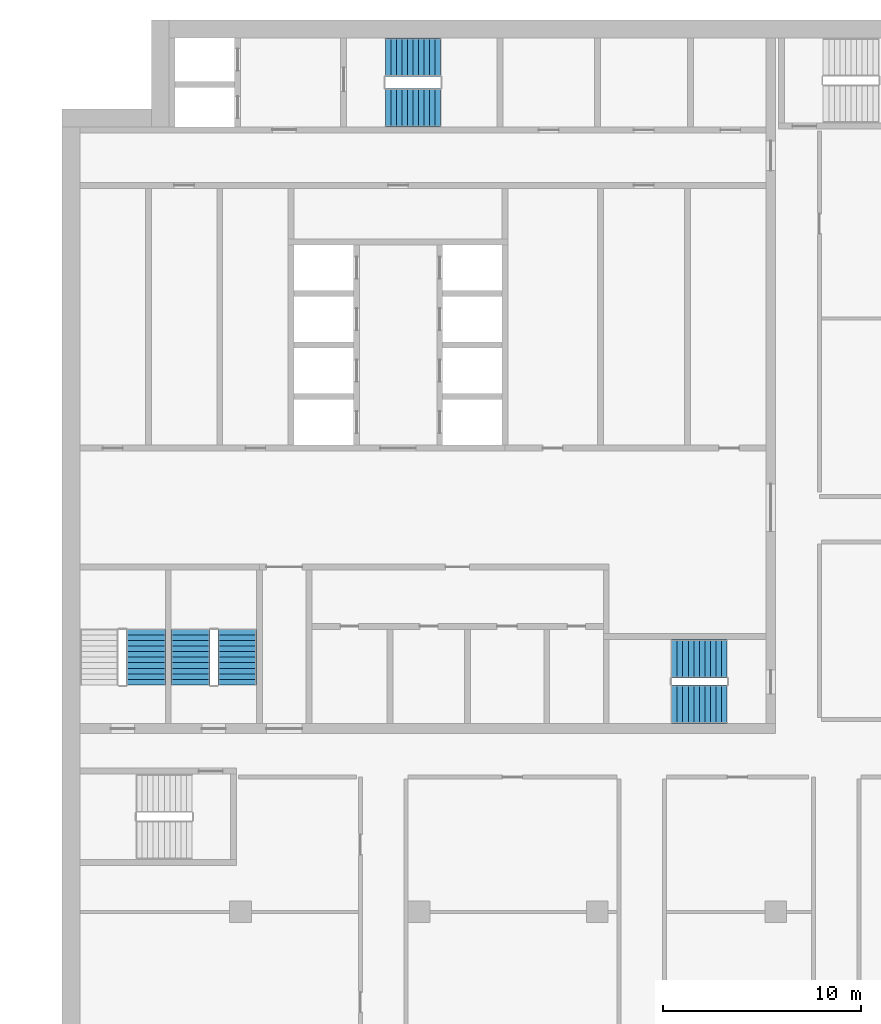
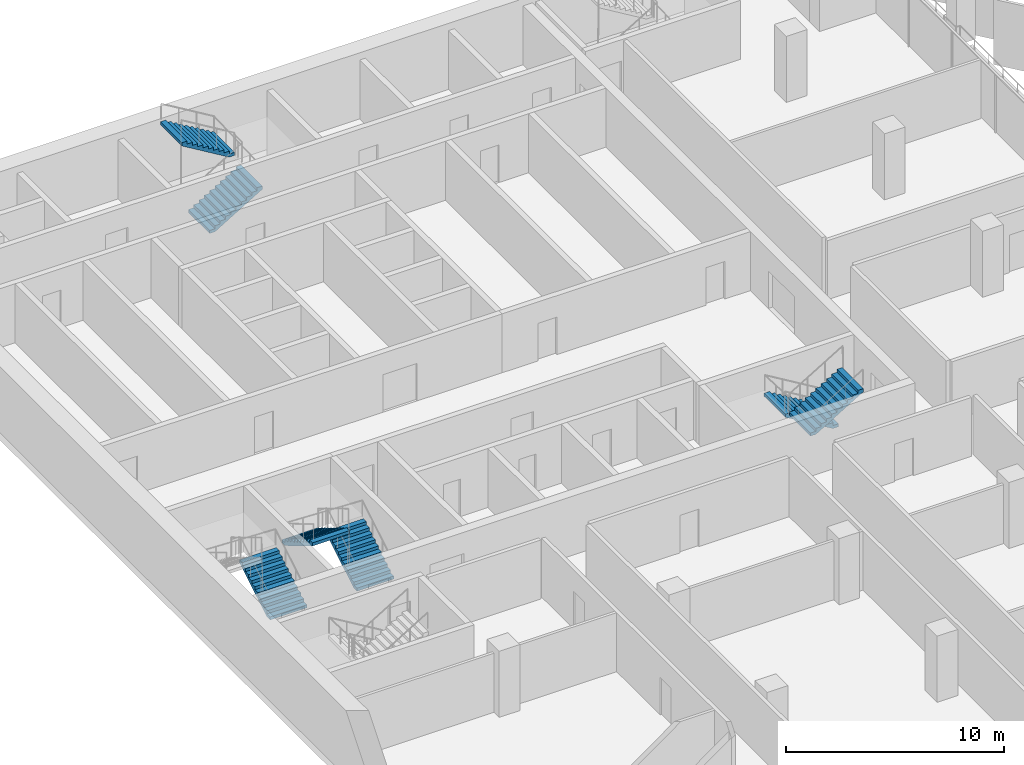
# One storey, part 14 of 19: 7 stair flights, 4 elements without a shape of their own.
"""IFC4 building model written with IfcOpenShell, lengths in metres."""

from ifc_helpers import new_model, si_unit, direction, frame, origin, place, context, subcontext, project, spatial, polyline, outline, extrude, material, type_object, element, aggregate, save


model = new_model("IFC4")

# Units and contexts
model_context = context("Model", 3, precision=1e-05, world=origin(), true_north=direction((0.0, 1.0)))
body_context = subcontext(model_context, "Body", "Model", "MODEL_VIEW")
ifc_project = project(units=[si_unit("LENGTHUNIT", "METRE"), si_unit("AREAUNIT", "SQUARE_METRE"), si_unit("VOLUMEUNIT", "CUBIC_METRE"), si_unit("PLANEANGLEUNIT", "RADIAN"), si_unit("MASSUNIT", "GRAM", prefix="KILO")], contexts=[model_context])

# Site, building, storey
site_placement = place(None, origin())
site = spatial("IfcSite", under=ifc_project, at=site_placement, CompositionType="ELEMENT")
building_placement = place(site_placement, origin())
building = spatial("IfcBuilding", under=site, at=building_placement, Name="Hunhe Ridgeline Campus", CompositionType="ELEMENT")
storey_placement = place(building_placement, frame((0.0, 0.0, 219.800048828125)))
storey = spatial("IfcBuildingStorey", under=building, at=storey_placement, Name="L56", CompositionType="ELEMENT", Elevation=219.800048828125)

# Stair, stair flights
ifc_material = material(Name="Concrete C40", Category="concrete")
stair_type = type_object("IfcStairType", Name="Reinforced concrete dog-leg stair 1950 Concrete C40", PredefinedType="HALF_TURN_STAIR", material=ifc_material)
stair_1_placement = place(storey_placement, origin())
stair_1 = element("IfcStair", 1, at=stair_1_placement, inside=storey, type_object=stair_type, Name="L56 S1", PredefinedType="HALF_TURN_STAIR")
stair_flight_type = type_object("IfcStairFlightType", Name="Reinforced concrete stair flight 1950 Concrete C40", PredefinedType="STRAIGHT", material=ifc_material)
stair_flight_1_placement = place(storey_placement, frame((16.300048828125, 94.574951171875, 0.0), z_axis=(0.0, 0.0, 1.0), x_axis=(1.0, 0.0, 0.0)))
stair_flight_1 = element("IfcStairFlight", 2, at=stair_flight_1_placement, type_object=stair_flight_type, Name="ST1 flight 1", NumberOfRisers=11, NumberOfTreads=10, PredefinedType="STRAIGHT", RiserHeight=0.168181818, TreadLength=0.28, context=body_context, shape_type="SweptSolid", body=[
    extrude(outline(polyline([(0.0, 0.0), (0.0, 0.168212890625), (0.280029296875, 0.168212890625), (0.280029296875, 0.33642578125), (0.56005859375, 0.33642578125), (0.56005859375, 0.504638671875), (0.840087890625, 0.504638671875), (0.840087890625, 0.672607421875), (1.1201171875, 0.672607421875), (1.1201171875, 0.8408203125), (1.39990234375, 0.8408203125), (1.39990234375, 1.009033203125), (1.679931640625, 1.009033203125), (1.679931640625, 1.17724609375), (1.9599609375, 1.17724609375), (1.9599609375, 1.345458984375), (2.239990234375, 1.345458984375), (2.239990234375, 1.513671875), (2.52001953125, 1.513671875), (2.52001953125, 1.681884765625), (2.800048828125, 1.681884765625), (2.800048828125, 1.85009765625), (2.800048828125, 1.5068359375), (0.291015625, 0.0), (0.0, 0.0)])), frame((0.0, 0.97509765625, 0.0), z_axis=(0.0, -1.0, 0.0), x_axis=(1.0, 0.0, 0.0)), (0.0, 0.0, 1.0), 1.949951171875),
    extrude(outline(polyline([(0.030029296875, 0.030029296875), (0.030029296875, 0.13818359375), (0.31005859375, 0.13818359375), (0.31005859375, 0.306396484375), (0.590087890625, 0.306396484375), (0.590087890625, 0.474609375), (0.8701171875, 0.474609375), (0.8701171875, 0.642578125), (1.14990234375, 0.642578125), (1.14990234375, 0.810791015625), (1.429931640625, 0.810791015625), (1.429931640625, 0.97900390625), (1.7099609375, 0.97900390625), (1.7099609375, 1.147216796875), (1.989990234375, 1.147216796875), (1.989990234375, 1.3154296875), (2.27001953125, 1.3154296875), (2.27001953125, 1.483642578125), (2.550048828125, 1.483642578125), (2.550048828125, 1.65185546875), (2.77001953125, 1.65185546875), (2.77001953125, 1.52392578125), (0.28271484375, 0.030029296875), (0.030029296875, 0.030029296875)])), frame((0.0, -0.070068359375, 0.0), z_axis=(0.0, -1.0, 0.0), x_axis=(1.0, 0.0, 0.0)), (0.0, 0.0, 1.0), 0.019775390625),
    extrude(outline(polyline([(0.030029296875, 0.030029296875), (0.030029296875, 0.13818359375), (0.31005859375, 0.13818359375), (0.31005859375, 0.306396484375), (0.590087890625, 0.306396484375), (0.590087890625, 0.474609375), (0.8701171875, 0.474609375), (0.8701171875, 0.642578125), (1.14990234375, 0.642578125), (1.14990234375, 0.810791015625), (1.429931640625, 0.810791015625), (1.429931640625, 0.97900390625), (1.7099609375, 0.97900390625), (1.7099609375, 1.147216796875), (1.989990234375, 1.147216796875), (1.989990234375, 1.3154296875), (2.27001953125, 1.3154296875), (2.27001953125, 1.483642578125), (2.550048828125, 1.483642578125), (2.550048828125, 1.65185546875), (2.77001953125, 1.65185546875), (2.77001953125, 1.52392578125), (0.28271484375, 0.030029296875), (0.030029296875, 0.030029296875)])), frame((0.0, 0.010009765625, 0.0), z_axis=(0.0, -1.0, 0.0), x_axis=(1.0, 0.0, 0.0)), (0.0, 0.0, 1.0), 0.019775390625),
    extrude(outline(polyline([(0.030029296875, 0.030029296875), (0.030029296875, 0.13818359375), (0.31005859375, 0.13818359375), (0.31005859375, 0.306396484375), (0.590087890625, 0.306396484375), (0.590087890625, 0.474609375), (0.8701171875, 0.474609375), (0.8701171875, 0.642578125), (1.14990234375, 0.642578125), (1.14990234375, 0.810791015625), (1.429931640625, 0.810791015625), (1.429931640625, 0.97900390625), (1.7099609375, 0.97900390625), (1.7099609375, 1.147216796875), (1.989990234375, 1.147216796875), (1.989990234375, 1.3154296875), (2.27001953125, 1.3154296875), (2.27001953125, 1.483642578125), (2.550048828125, 1.483642578125), (2.550048828125, 1.65185546875), (2.77001953125, 1.65185546875), (2.77001953125, 1.52392578125), (0.28271484375, 0.030029296875), (0.030029296875, 0.030029296875)])), frame((0.0, 0.090087890625, 0.0), z_axis=(0.0, -1.0, 0.0), x_axis=(1.0, 0.0, 0.0)), (0.0, 0.0, 1.0), 0.019775390625),
])
stair_flight_2_placement = place(storey_placement, frame((19.10009765625, 97.125, 1.849853515625), z_axis=(0.0, 0.0, 1.0), x_axis=(-1.0, 0.0, 0.0)))
stair_flight_2 = element("IfcStairFlight", 3, at=stair_flight_2_placement, type_object=stair_flight_type, Name="ST1 flight 2", NumberOfRisers=11, NumberOfTreads=10, PredefinedType="STRAIGHT", RiserHeight=0.168181818, TreadLength=0.28, context=body_context, shape_type="SweptSolid", body=[
    extrude(outline(polyline([(0.0, 0.0), (0.0, 0.168212890625), (0.280029296875, 0.168212890625), (0.280029296875, 0.33642578125), (0.56005859375, 0.33642578125), (0.56005859375, 0.504638671875), (0.840087890625, 0.504638671875), (0.840087890625, 0.672607421875), (1.1201171875, 0.672607421875), (1.1201171875, 0.8408203125), (1.39990234375, 0.8408203125), (1.39990234375, 1.009033203125), (1.679931640625, 1.009033203125), (1.679931640625, 1.17724609375), (1.9599609375, 1.17724609375), (1.9599609375, 1.345458984375), (2.239990234375, 1.345458984375), (2.239990234375, 1.513671875), (2.52001953125, 1.513671875), (2.52001953125, 1.681884765625), (2.800048828125, 1.681884765625), (2.800048828125, 1.85009765625), (2.800048828125, 1.5068359375), (0.291015625, 0.0), (0.0, 0.0)])), frame((0.0, 0.97509765625, 0.0), z_axis=(0.0, -1.0, 0.0), x_axis=(1.0, 0.0, 0.0)), (0.0, 0.0, 1.0), 1.949951171875),
    extrude(outline(polyline([(0.030029296875, 0.030029296875), (0.030029296875, 0.13818359375), (0.31005859375, 0.13818359375), (0.31005859375, 0.306396484375), (0.590087890625, 0.306396484375), (0.590087890625, 0.474609375), (0.8701171875, 0.474609375), (0.8701171875, 0.642578125), (1.14990234375, 0.642578125), (1.14990234375, 0.810791015625), (1.429931640625, 0.810791015625), (1.429931640625, 0.97900390625), (1.7099609375, 0.97900390625), (1.7099609375, 1.147216796875), (1.989990234375, 1.147216796875), (1.989990234375, 1.3154296875), (2.27001953125, 1.3154296875), (2.27001953125, 1.483642578125), (2.550048828125, 1.483642578125), (2.550048828125, 1.65185546875), (2.77001953125, 1.65185546875), (2.77001953125, 1.52392578125), (0.28271484375, 0.030029296875), (0.030029296875, 0.030029296875)])), frame((0.0, -0.070068359375, 0.0), z_axis=(0.0, -1.0, 0.0), x_axis=(1.0, 0.0, 0.0)), (0.0, 0.0, 1.0), 0.019775390625),
    extrude(outline(polyline([(0.030029296875, 0.030029296875), (0.030029296875, 0.13818359375), (0.31005859375, 0.13818359375), (0.31005859375, 0.306396484375), (0.590087890625, 0.306396484375), (0.590087890625, 0.474609375), (0.8701171875, 0.474609375), (0.8701171875, 0.642578125), (1.14990234375, 0.642578125), (1.14990234375, 0.810791015625), (1.429931640625, 0.810791015625), (1.429931640625, 0.97900390625), (1.7099609375, 0.97900390625), (1.7099609375, 1.147216796875), (1.989990234375, 1.147216796875), (1.989990234375, 1.3154296875), (2.27001953125, 1.3154296875), (2.27001953125, 1.483642578125), (2.550048828125, 1.483642578125), (2.550048828125, 1.65185546875), (2.77001953125, 1.65185546875), (2.77001953125, 1.52392578125), (0.28271484375, 0.030029296875), (0.030029296875, 0.030029296875)])), frame((0.0, 0.010009765625, 0.0), z_axis=(0.0, -1.0, 0.0), x_axis=(1.0, 0.0, 0.0)), (0.0, 0.0, 1.0), 0.019775390625),
    extrude(outline(polyline([(0.030029296875, 0.030029296875), (0.030029296875, 0.13818359375), (0.31005859375, 0.13818359375), (0.31005859375, 0.306396484375), (0.590087890625, 0.306396484375), (0.590087890625, 0.474609375), (0.8701171875, 0.474609375), (0.8701171875, 0.642578125), (1.14990234375, 0.642578125), (1.14990234375, 0.810791015625), (1.429931640625, 0.810791015625), (1.429931640625, 0.97900390625), (1.7099609375, 0.97900390625), (1.7099609375, 1.147216796875), (1.989990234375, 1.147216796875), (1.989990234375, 1.3154296875), (2.27001953125, 1.3154296875), (2.27001953125, 1.483642578125), (2.550048828125, 1.483642578125), (2.550048828125, 1.65185546875), (2.77001953125, 1.65185546875), (2.77001953125, 1.52392578125), (0.28271484375, 0.030029296875), (0.030029296875, 0.030029296875)])), frame((0.0, 0.090087890625, 0.0), z_axis=(0.0, -1.0, 0.0), x_axis=(1.0, 0.0, 0.0)), (0.0, 0.0, 1.0), 0.019775390625),
])
aggregate(stair_1, [stair_flight_1, stair_flight_2])

stair_2_placement = place(storey_placement, origin())
stair_2 = element("IfcStair", 4, at=stair_2_placement, inside=storey, type_object=stair_type, Name="L56 S2", PredefinedType="HALF_TURN_STAIR")
stair_flight_3_placement = place(storey_placement, frame((33.550048828125, 66.77490234375, 0.0), z_axis=(0.0, 0.0, 1.0), x_axis=(-1.0, 0.0, 0.0)))
stair_flight_3 = element("IfcStairFlight", 5, at=stair_flight_3_placement, type_object=stair_flight_type, Name="ST2 flight 1", NumberOfRisers=11, NumberOfTreads=10, PredefinedType="STRAIGHT", RiserHeight=0.168181818, TreadLength=0.28, context=body_context, shape_type="SweptSolid", body=[
    extrude(outline(polyline([(0.0, 0.0), (0.0, 0.168212890625), (0.280029296875, 0.168212890625), (0.280029296875, 0.33642578125), (0.56005859375, 0.33642578125), (0.56005859375, 0.504638671875), (0.840087890625, 0.504638671875), (0.840087890625, 0.672607421875), (1.1201171875, 0.672607421875), (1.1201171875, 0.8408203125), (1.39990234375, 0.8408203125), (1.39990234375, 1.009033203125), (1.679931640625, 1.009033203125), (1.679931640625, 1.17724609375), (1.9599609375, 1.17724609375), (1.9599609375, 1.345458984375), (2.239990234375, 1.345458984375), (2.239990234375, 1.513671875), (2.52001953125, 1.513671875), (2.52001953125, 1.681884765625), (2.800048828125, 1.681884765625), (2.800048828125, 1.85009765625), (2.800048828125, 1.5068359375), (0.291015625, 0.0), (0.0, 0.0)])), frame((0.0, 0.97509765625, 0.0), z_axis=(0.0, -1.0, 0.0), x_axis=(1.0, 0.0, 0.0)), (0.0, 0.0, 1.0), 1.949951171875),
    extrude(outline(polyline([(0.030029296875, 0.030029296875), (0.030029296875, 0.13818359375), (0.31005859375, 0.13818359375), (0.31005859375, 0.306396484375), (0.590087890625, 0.306396484375), (0.590087890625, 0.474609375), (0.8701171875, 0.474609375), (0.8701171875, 0.642578125), (1.14990234375, 0.642578125), (1.14990234375, 0.810791015625), (1.429931640625, 0.810791015625), (1.429931640625, 0.97900390625), (1.7099609375, 0.97900390625), (1.7099609375, 1.147216796875), (1.989990234375, 1.147216796875), (1.989990234375, 1.3154296875), (2.27001953125, 1.3154296875), (2.27001953125, 1.483642578125), (2.550048828125, 1.483642578125), (2.550048828125, 1.65185546875), (2.77001953125, 1.65185546875), (2.77001953125, 1.52392578125), (0.28271484375, 0.030029296875), (0.030029296875, 0.030029296875)])), frame((0.0, -0.070068359375, 0.0), z_axis=(0.0, -1.0, 0.0), x_axis=(1.0, 0.0, 0.0)), (0.0, 0.0, 1.0), 0.019775390625),
    extrude(outline(polyline([(0.030029296875, 0.030029296875), (0.030029296875, 0.13818359375), (0.31005859375, 0.13818359375), (0.31005859375, 0.306396484375), (0.590087890625, 0.306396484375), (0.590087890625, 0.474609375), (0.8701171875, 0.474609375), (0.8701171875, 0.642578125), (1.14990234375, 0.642578125), (1.14990234375, 0.810791015625), (1.429931640625, 0.810791015625), (1.429931640625, 0.97900390625), (1.7099609375, 0.97900390625), (1.7099609375, 1.147216796875), (1.989990234375, 1.147216796875), (1.989990234375, 1.3154296875), (2.27001953125, 1.3154296875), (2.27001953125, 1.483642578125), (2.550048828125, 1.483642578125), (2.550048828125, 1.65185546875), (2.77001953125, 1.65185546875), (2.77001953125, 1.52392578125), (0.28271484375, 0.030029296875), (0.030029296875, 0.030029296875)])), frame((0.0, 0.010009765625, 0.0), z_axis=(0.0, -1.0, 0.0), x_axis=(1.0, 0.0, 0.0)), (0.0, 0.0, 1.0), 0.019775390625),
    extrude(outline(polyline([(0.030029296875, 0.030029296875), (0.030029296875, 0.13818359375), (0.31005859375, 0.13818359375), (0.31005859375, 0.306396484375), (0.590087890625, 0.306396484375), (0.590087890625, 0.474609375), (0.8701171875, 0.474609375), (0.8701171875, 0.642578125), (1.14990234375, 0.642578125), (1.14990234375, 0.810791015625), (1.429931640625, 0.810791015625), (1.429931640625, 0.97900390625), (1.7099609375, 0.97900390625), (1.7099609375, 1.147216796875), (1.989990234375, 1.147216796875), (1.989990234375, 1.3154296875), (2.27001953125, 1.3154296875), (2.27001953125, 1.483642578125), (2.550048828125, 1.483642578125), (2.550048828125, 1.65185546875), (2.77001953125, 1.65185546875), (2.77001953125, 1.52392578125), (0.28271484375, 0.030029296875), (0.030029296875, 0.030029296875)])), frame((0.0, 0.090087890625, 0.0), z_axis=(0.0, -1.0, 0.0), x_axis=(1.0, 0.0, 0.0)), (0.0, 0.0, 1.0), 0.019775390625),
])
stair_flight_4_placement = place(storey_placement, frame((30.75, 64.47509765625, 1.849853515625), z_axis=(0.0, 0.0, 1.0), x_axis=(1.0, 0.0, 0.0)))
stair_flight_4 = element("IfcStairFlight", 6, at=stair_flight_4_placement, type_object=stair_flight_type, Name="ST2 flight 2", NumberOfRisers=11, NumberOfTreads=10, PredefinedType="STRAIGHT", RiserHeight=0.168181818, TreadLength=0.28, context=body_context, shape_type="SweptSolid", body=[
    extrude(outline(polyline([(0.0, 0.0), (0.0, 0.168212890625), (0.280029296875, 0.168212890625), (0.280029296875, 0.33642578125), (0.56005859375, 0.33642578125), (0.56005859375, 0.504638671875), (0.840087890625, 0.504638671875), (0.840087890625, 0.672607421875), (1.1201171875, 0.672607421875), (1.1201171875, 0.8408203125), (1.39990234375, 0.8408203125), (1.39990234375, 1.009033203125), (1.679931640625, 1.009033203125), (1.679931640625, 1.17724609375), (1.9599609375, 1.17724609375), (1.9599609375, 1.345458984375), (2.239990234375, 1.345458984375), (2.239990234375, 1.513671875), (2.52001953125, 1.513671875), (2.52001953125, 1.681884765625), (2.800048828125, 1.681884765625), (2.800048828125, 1.85009765625), (2.800048828125, 1.5068359375), (0.291015625, 0.0), (0.0, 0.0)])), frame((0.0, 0.97509765625, 0.0), z_axis=(0.0, -1.0, 0.0), x_axis=(1.0, 0.0, 0.0)), (0.0, 0.0, 1.0), 1.949951171875),
    extrude(outline(polyline([(0.030029296875, 0.030029296875), (0.030029296875, 0.13818359375), (0.31005859375, 0.13818359375), (0.31005859375, 0.306396484375), (0.590087890625, 0.306396484375), (0.590087890625, 0.474609375), (0.8701171875, 0.474609375), (0.8701171875, 0.642578125), (1.14990234375, 0.642578125), (1.14990234375, 0.810791015625), (1.429931640625, 0.810791015625), (1.429931640625, 0.97900390625), (1.7099609375, 0.97900390625), (1.7099609375, 1.147216796875), (1.989990234375, 1.147216796875), (1.989990234375, 1.3154296875), (2.27001953125, 1.3154296875), (2.27001953125, 1.483642578125), (2.550048828125, 1.483642578125), (2.550048828125, 1.65185546875), (2.77001953125, 1.65185546875), (2.77001953125, 1.52392578125), (0.28271484375, 0.030029296875), (0.030029296875, 0.030029296875)])), frame((0.0, -0.070068359375, 0.0), z_axis=(0.0, -1.0, 0.0), x_axis=(1.0, 0.0, 0.0)), (0.0, 0.0, 1.0), 0.019775390625),
    extrude(outline(polyline([(0.030029296875, 0.030029296875), (0.030029296875, 0.13818359375), (0.31005859375, 0.13818359375), (0.31005859375, 0.306396484375), (0.590087890625, 0.306396484375), (0.590087890625, 0.474609375), (0.8701171875, 0.474609375), (0.8701171875, 0.642578125), (1.14990234375, 0.642578125), (1.14990234375, 0.810791015625), (1.429931640625, 0.810791015625), (1.429931640625, 0.97900390625), (1.7099609375, 0.97900390625), (1.7099609375, 1.147216796875), (1.989990234375, 1.147216796875), (1.989990234375, 1.3154296875), (2.27001953125, 1.3154296875), (2.27001953125, 1.483642578125), (2.550048828125, 1.483642578125), (2.550048828125, 1.65185546875), (2.77001953125, 1.65185546875), (2.77001953125, 1.52392578125), (0.28271484375, 0.030029296875), (0.030029296875, 0.030029296875)])), frame((0.0, 0.010009765625, 0.0), z_axis=(0.0, -1.0, 0.0), x_axis=(1.0, 0.0, 0.0)), (0.0, 0.0, 1.0), 0.019775390625),
    extrude(outline(polyline([(0.030029296875, 0.030029296875), (0.030029296875, 0.13818359375), (0.31005859375, 0.13818359375), (0.31005859375, 0.306396484375), (0.590087890625, 0.306396484375), (0.590087890625, 0.474609375), (0.8701171875, 0.474609375), (0.8701171875, 0.642578125), (1.14990234375, 0.642578125), (1.14990234375, 0.810791015625), (1.429931640625, 0.810791015625), (1.429931640625, 0.97900390625), (1.7099609375, 0.97900390625), (1.7099609375, 1.147216796875), (1.989990234375, 1.147216796875), (1.989990234375, 1.3154296875), (2.27001953125, 1.3154296875), (2.27001953125, 1.483642578125), (2.550048828125, 1.483642578125), (2.550048828125, 1.65185546875), (2.77001953125, 1.65185546875), (2.77001953125, 1.52392578125), (0.28271484375, 0.030029296875), (0.030029296875, 0.030029296875)])), frame((0.0, 0.090087890625, 0.0), z_axis=(0.0, -1.0, 0.0), x_axis=(1.0, 0.0, 0.0)), (0.0, 0.0, 1.0), 0.019775390625),
])
aggregate(stair_2, [stair_flight_3, stair_flight_4])

# Stair, stair flight
stair_3_placement = place(storey_placement, origin())
stair_3 = element("IfcStair", 7, at=stair_3_placement, inside=storey, type_object=stair_type, Name="L56 S3", PredefinedType="HALF_TURN_STAIR")
stair_flight_5_placement = place(storey_placement, frame((4.22509765625, 65.449951171875, 0.0), z_axis=(0.0, 0.0, 1.0), x_axis=(0.0, 1.0, 0.0)))
stair_flight_5 = element("IfcStairFlight", 8, at=stair_flight_5_placement, type_object=stair_flight_type, Name="ST3 flight 1", NumberOfRisers=11, NumberOfTreads=10, PredefinedType="STRAIGHT", RiserHeight=0.168181818, TreadLength=0.28, context=body_context, shape_type="SweptSolid", body=[
    extrude(outline(polyline([(0.0, 0.0), (0.0, 0.168212890625), (0.280029296875, 0.168212890625), (0.280029296875, 0.33642578125), (0.56005859375, 0.33642578125), (0.56005859375, 0.504638671875), (0.840087890625, 0.504638671875), (0.840087890625, 0.672607421875), (1.1201171875, 0.672607421875), (1.1201171875, 0.8408203125), (1.39990234375, 0.8408203125), (1.39990234375, 1.009033203125), (1.679931640625, 1.009033203125), (1.679931640625, 1.17724609375), (1.9599609375, 1.17724609375), (1.9599609375, 1.345458984375), (2.239990234375, 1.345458984375), (2.239990234375, 1.513671875), (2.52001953125, 1.513671875), (2.52001953125, 1.681884765625), (2.800048828125, 1.681884765625), (2.800048828125, 1.85009765625), (2.800048828125, 1.5068359375), (0.291015625, 0.0), (0.0, 0.0)])), frame((0.0, 0.97509765625, 0.0), z_axis=(0.0, -1.0, 0.0), x_axis=(1.0, 0.0, 0.0)), (0.0, 0.0, 1.0), 1.949951171875),
    extrude(outline(polyline([(0.030029296875, 0.030029296875), (0.030029296875, 0.13818359375), (0.31005859375, 0.13818359375), (0.31005859375, 0.306396484375), (0.590087890625, 0.306396484375), (0.590087890625, 0.474609375), (0.8701171875, 0.474609375), (0.8701171875, 0.642578125), (1.14990234375, 0.642578125), (1.14990234375, 0.810791015625), (1.429931640625, 0.810791015625), (1.429931640625, 0.97900390625), (1.7099609375, 0.97900390625), (1.7099609375, 1.147216796875), (1.989990234375, 1.147216796875), (1.989990234375, 1.3154296875), (2.27001953125, 1.3154296875), (2.27001953125, 1.483642578125), (2.550048828125, 1.483642578125), (2.550048828125, 1.65185546875), (2.77001953125, 1.65185546875), (2.77001953125, 1.52392578125), (0.28271484375, 0.030029296875), (0.030029296875, 0.030029296875)])), frame((0.0, -0.070068359375, 0.0), z_axis=(0.0, -1.0, 0.0), x_axis=(1.0, 0.0, 0.0)), (0.0, 0.0, 1.0), 0.019775390625),
    extrude(outline(polyline([(0.030029296875, 0.030029296875), (0.030029296875, 0.13818359375), (0.31005859375, 0.13818359375), (0.31005859375, 0.306396484375), (0.590087890625, 0.306396484375), (0.590087890625, 0.474609375), (0.8701171875, 0.474609375), (0.8701171875, 0.642578125), (1.14990234375, 0.642578125), (1.14990234375, 0.810791015625), (1.429931640625, 0.810791015625), (1.429931640625, 0.97900390625), (1.7099609375, 0.97900390625), (1.7099609375, 1.147216796875), (1.989990234375, 1.147216796875), (1.989990234375, 1.3154296875), (2.27001953125, 1.3154296875), (2.27001953125, 1.483642578125), (2.550048828125, 1.483642578125), (2.550048828125, 1.65185546875), (2.77001953125, 1.65185546875), (2.77001953125, 1.52392578125), (0.28271484375, 0.030029296875), (0.030029296875, 0.030029296875)])), frame((0.0, 0.010009765625, 0.0), z_axis=(0.0, -1.0, 0.0), x_axis=(1.0, 0.0, 0.0)), (0.0, 0.0, 1.0), 0.019775390625),
    extrude(outline(polyline([(0.030029296875, 0.030029296875), (0.030029296875, 0.13818359375), (0.31005859375, 0.13818359375), (0.31005859375, 0.306396484375), (0.590087890625, 0.306396484375), (0.590087890625, 0.474609375), (0.8701171875, 0.474609375), (0.8701171875, 0.642578125), (1.14990234375, 0.642578125), (1.14990234375, 0.810791015625), (1.429931640625, 0.810791015625), (1.429931640625, 0.97900390625), (1.7099609375, 0.97900390625), (1.7099609375, 1.147216796875), (1.989990234375, 1.147216796875), (1.989990234375, 1.3154296875), (2.27001953125, 1.3154296875), (2.27001953125, 1.483642578125), (2.550048828125, 1.483642578125), (2.550048828125, 1.65185546875), (2.77001953125, 1.65185546875), (2.77001953125, 1.52392578125), (0.28271484375, 0.030029296875), (0.030029296875, 0.030029296875)])), frame((0.0, 0.090087890625, 0.0), z_axis=(0.0, -1.0, 0.0), x_axis=(1.0, 0.0, 0.0)), (0.0, 0.0, 1.0), 0.019775390625),
])
aggregate(stair_3, [stair_flight_5])

# Stair, stair flights
stair_4_placement = place(storey_placement, origin())
stair_4 = element("IfcStair", 9, at=stair_4_placement, inside=storey, type_object=stair_type, Name="L56 S4", PredefinedType="HALF_TURN_STAIR")
stair_flight_6_placement = place(storey_placement, frame((8.824951171875, 65.449951171875, 0.0), z_axis=(0.0, 0.0, 1.0), x_axis=(0.0, 1.0, 0.0)))
stair_flight_6 = element("IfcStairFlight", 10, at=stair_flight_6_placement, type_object=stair_flight_type, Name="ST4 flight 1", NumberOfRisers=11, NumberOfTreads=10, PredefinedType="STRAIGHT", RiserHeight=0.168181818, TreadLength=0.28, context=body_context, shape_type="SweptSolid", body=[
    extrude(outline(polyline([(0.0, 0.0), (0.0, 0.168212890625), (0.280029296875, 0.168212890625), (0.280029296875, 0.33642578125), (0.56005859375, 0.33642578125), (0.56005859375, 0.504638671875), (0.840087890625, 0.504638671875), (0.840087890625, 0.672607421875), (1.1201171875, 0.672607421875), (1.1201171875, 0.8408203125), (1.39990234375, 0.8408203125), (1.39990234375, 1.009033203125), (1.679931640625, 1.009033203125), (1.679931640625, 1.17724609375), (1.9599609375, 1.17724609375), (1.9599609375, 1.345458984375), (2.239990234375, 1.345458984375), (2.239990234375, 1.513671875), (2.52001953125, 1.513671875), (2.52001953125, 1.681884765625), (2.800048828125, 1.681884765625), (2.800048828125, 1.85009765625), (2.800048828125, 1.5068359375), (0.291015625, 0.0), (0.0, 0.0)])), frame((0.0, 0.97509765625, 0.0), z_axis=(0.0, -1.0, 0.0), x_axis=(1.0, 0.0, 0.0)), (0.0, 0.0, 1.0), 1.949951171875),
    extrude(outline(polyline([(0.030029296875, 0.030029296875), (0.030029296875, 0.13818359375), (0.31005859375, 0.13818359375), (0.31005859375, 0.306396484375), (0.590087890625, 0.306396484375), (0.590087890625, 0.474609375), (0.8701171875, 0.474609375), (0.8701171875, 0.642578125), (1.14990234375, 0.642578125), (1.14990234375, 0.810791015625), (1.429931640625, 0.810791015625), (1.429931640625, 0.97900390625), (1.7099609375, 0.97900390625), (1.7099609375, 1.147216796875), (1.989990234375, 1.147216796875), (1.989990234375, 1.3154296875), (2.27001953125, 1.3154296875), (2.27001953125, 1.483642578125), (2.550048828125, 1.483642578125), (2.550048828125, 1.65185546875), (2.77001953125, 1.65185546875), (2.77001953125, 1.52392578125), (0.28271484375, 0.030029296875), (0.030029296875, 0.030029296875)])), frame((0.0, -0.070068359375, 0.0), z_axis=(0.0, -1.0, 0.0), x_axis=(1.0, 0.0, 0.0)), (0.0, 0.0, 1.0), 0.019775390625),
    extrude(outline(polyline([(0.030029296875, 0.030029296875), (0.030029296875, 0.13818359375), (0.31005859375, 0.13818359375), (0.31005859375, 0.306396484375), (0.590087890625, 0.306396484375), (0.590087890625, 0.474609375), (0.8701171875, 0.474609375), (0.8701171875, 0.642578125), (1.14990234375, 0.642578125), (1.14990234375, 0.810791015625), (1.429931640625, 0.810791015625), (1.429931640625, 0.97900390625), (1.7099609375, 0.97900390625), (1.7099609375, 1.147216796875), (1.989990234375, 1.147216796875), (1.989990234375, 1.3154296875), (2.27001953125, 1.3154296875), (2.27001953125, 1.483642578125), (2.550048828125, 1.483642578125), (2.550048828125, 1.65185546875), (2.77001953125, 1.65185546875), (2.77001953125, 1.52392578125), (0.28271484375, 0.030029296875), (0.030029296875, 0.030029296875)])), frame((0.0, 0.010009765625, 0.0), z_axis=(0.0, -1.0, 0.0), x_axis=(1.0, 0.0, 0.0)), (0.0, 0.0, 1.0), 0.019775390625),
    extrude(outline(polyline([(0.030029296875, 0.030029296875), (0.030029296875, 0.13818359375), (0.31005859375, 0.13818359375), (0.31005859375, 0.306396484375), (0.590087890625, 0.306396484375), (0.590087890625, 0.474609375), (0.8701171875, 0.474609375), (0.8701171875, 0.642578125), (1.14990234375, 0.642578125), (1.14990234375, 0.810791015625), (1.429931640625, 0.810791015625), (1.429931640625, 0.97900390625), (1.7099609375, 0.97900390625), (1.7099609375, 1.147216796875), (1.989990234375, 1.147216796875), (1.989990234375, 1.3154296875), (2.27001953125, 1.3154296875), (2.27001953125, 1.483642578125), (2.550048828125, 1.483642578125), (2.550048828125, 1.65185546875), (2.77001953125, 1.65185546875), (2.77001953125, 1.52392578125), (0.28271484375, 0.030029296875), (0.030029296875, 0.030029296875)])), frame((0.0, 0.090087890625, 0.0), z_axis=(0.0, -1.0, 0.0), x_axis=(1.0, 0.0, 0.0)), (0.0, 0.0, 1.0), 0.019775390625),
])
stair_flight_7_placement = place(storey_placement, frame((6.47509765625, 68.25, 1.849853515625), z_axis=(0.0, 0.0, 1.0), x_axis=(0.0, -1.0, 0.0)))
stair_flight_7 = element("IfcStairFlight", 11, at=stair_flight_7_placement, type_object=stair_flight_type, Name="ST4 flight 2", NumberOfRisers=11, NumberOfTreads=10, PredefinedType="STRAIGHT", RiserHeight=0.168181818, TreadLength=0.28, context=body_context, shape_type="SweptSolid", body=[
    extrude(outline(polyline([(0.0, 0.0), (0.0, 0.168212890625), (0.280029296875, 0.168212890625), (0.280029296875, 0.33642578125), (0.56005859375, 0.33642578125), (0.56005859375, 0.504638671875), (0.840087890625, 0.504638671875), (0.840087890625, 0.672607421875), (1.1201171875, 0.672607421875), (1.1201171875, 0.8408203125), (1.39990234375, 0.8408203125), (1.39990234375, 1.009033203125), (1.679931640625, 1.009033203125), (1.679931640625, 1.17724609375), (1.9599609375, 1.17724609375), (1.9599609375, 1.345458984375), (2.239990234375, 1.345458984375), (2.239990234375, 1.513671875), (2.52001953125, 1.513671875), (2.52001953125, 1.681884765625), (2.800048828125, 1.681884765625), (2.800048828125, 1.85009765625), (2.800048828125, 1.5068359375), (0.291015625, 0.0), (0.0, 0.0)])), frame((0.0, 0.97509765625, 0.0), z_axis=(0.0, -1.0, 0.0), x_axis=(1.0, 0.0, 0.0)), (0.0, 0.0, 1.0), 1.949951171875),
    extrude(outline(polyline([(0.030029296875, 0.030029296875), (0.030029296875, 0.13818359375), (0.31005859375, 0.13818359375), (0.31005859375, 0.306396484375), (0.590087890625, 0.306396484375), (0.590087890625, 0.474609375), (0.8701171875, 0.474609375), (0.8701171875, 0.642578125), (1.14990234375, 0.642578125), (1.14990234375, 0.810791015625), (1.429931640625, 0.810791015625), (1.429931640625, 0.97900390625), (1.7099609375, 0.97900390625), (1.7099609375, 1.147216796875), (1.989990234375, 1.147216796875), (1.989990234375, 1.3154296875), (2.27001953125, 1.3154296875), (2.27001953125, 1.483642578125), (2.550048828125, 1.483642578125), (2.550048828125, 1.65185546875), (2.77001953125, 1.65185546875), (2.77001953125, 1.52392578125), (0.28271484375, 0.030029296875), (0.030029296875, 0.030029296875)])), frame((0.0, -0.070068359375, 0.0), z_axis=(0.0, -1.0, 0.0), x_axis=(1.0, 0.0, 0.0)), (0.0, 0.0, 1.0), 0.019775390625),
    extrude(outline(polyline([(0.030029296875, 0.030029296875), (0.030029296875, 0.13818359375), (0.31005859375, 0.13818359375), (0.31005859375, 0.306396484375), (0.590087890625, 0.306396484375), (0.590087890625, 0.474609375), (0.8701171875, 0.474609375), (0.8701171875, 0.642578125), (1.14990234375, 0.642578125), (1.14990234375, 0.810791015625), (1.429931640625, 0.810791015625), (1.429931640625, 0.97900390625), (1.7099609375, 0.97900390625), (1.7099609375, 1.147216796875), (1.989990234375, 1.147216796875), (1.989990234375, 1.3154296875), (2.27001953125, 1.3154296875), (2.27001953125, 1.483642578125), (2.550048828125, 1.483642578125), (2.550048828125, 1.65185546875), (2.77001953125, 1.65185546875), (2.77001953125, 1.52392578125), (0.28271484375, 0.030029296875), (0.030029296875, 0.030029296875)])), frame((0.0, 0.010009765625, 0.0), z_axis=(0.0, -1.0, 0.0), x_axis=(1.0, 0.0, 0.0)), (0.0, 0.0, 1.0), 0.019775390625),
    extrude(outline(polyline([(0.030029296875, 0.030029296875), (0.030029296875, 0.13818359375), (0.31005859375, 0.13818359375), (0.31005859375, 0.306396484375), (0.590087890625, 0.306396484375), (0.590087890625, 0.474609375), (0.8701171875, 0.474609375), (0.8701171875, 0.642578125), (1.14990234375, 0.642578125), (1.14990234375, 0.810791015625), (1.429931640625, 0.810791015625), (1.429931640625, 0.97900390625), (1.7099609375, 0.97900390625), (1.7099609375, 1.147216796875), (1.989990234375, 1.147216796875), (1.989990234375, 1.3154296875), (2.27001953125, 1.3154296875), (2.27001953125, 1.483642578125), (2.550048828125, 1.483642578125), (2.550048828125, 1.65185546875), (2.77001953125, 1.65185546875), (2.77001953125, 1.52392578125), (0.28271484375, 0.030029296875), (0.030029296875, 0.030029296875)])), frame((0.0, 0.090087890625, 0.0), z_axis=(0.0, -1.0, 0.0), x_axis=(1.0, 0.0, 0.0)), (0.0, 0.0, 1.0), 0.019775390625),
])
aggregate(stair_4, [stair_flight_6, stair_flight_7])

save(model, "model.ifc")
